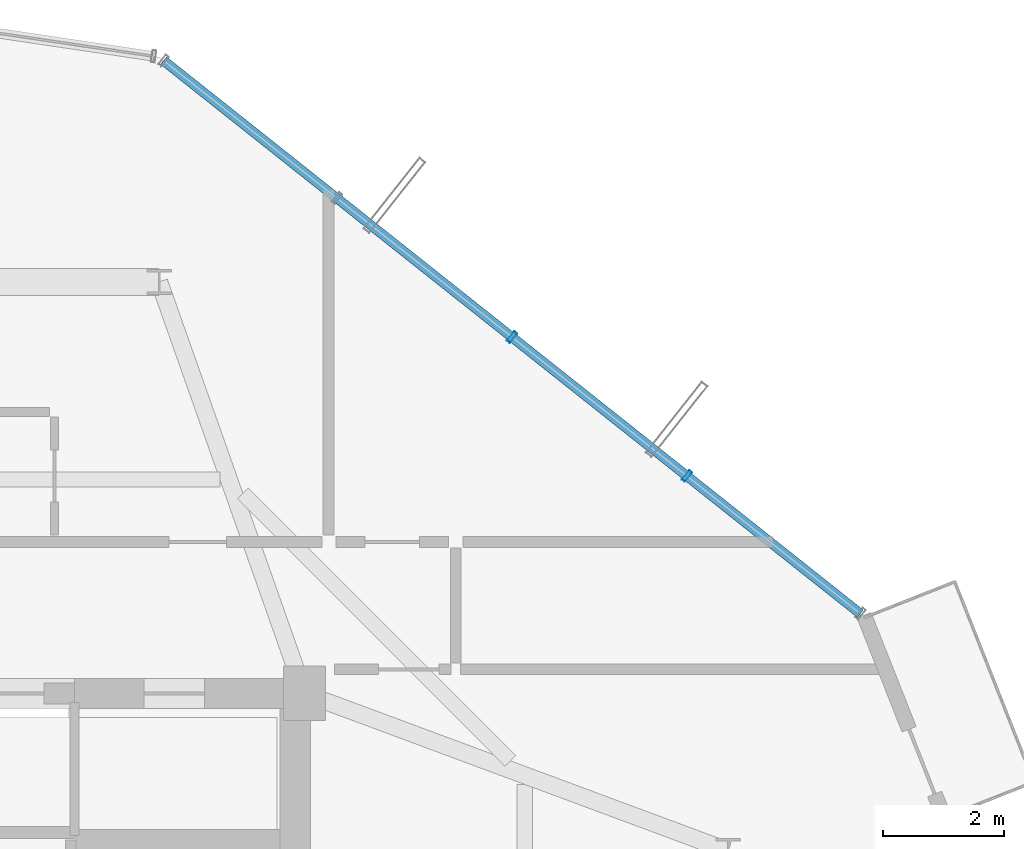
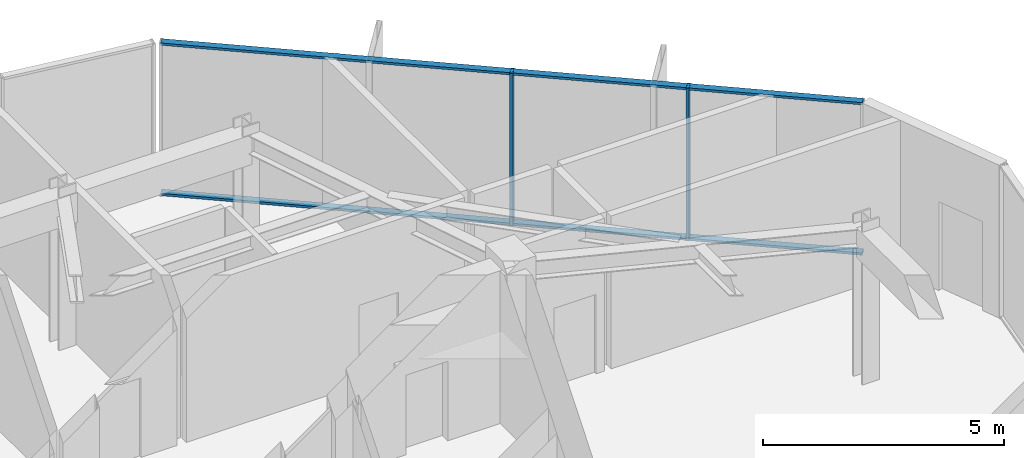
# One storey, part 12 of 22: 4 members, 1 element without a shape of its own.
"""IFC4 building model written with IfcOpenShell, lengths in metres."""

import ifcopenshell
import ifcopenshell.guid

model = None  # the IFC model being written
_history = None  # IfcOwnerHistory: only IFC2X3 demands one
_inside = {}  # id of a spatial element -> (the spatial element, [elements in it])
_under = {}  # id of a project, library or spatial element -> (it, [spatial elements below it])
_declared = {}  # id of a project -> (the project, [libraries it declares])
_typed = {}  # id of a type object -> (the type object, [elements of that type])
_made_of = {}  # id of a material, layer set ... -> (it, [elements and type objects made of it])


def new_model(schema):
    """Start an empty IFC model of exactly this schema.

    Asked for "IFC4X3", IfcOpenShell would pick the latest addendum, in which some entities
    have other attributes; the version numbers below select the first issue.
    IFC2X3 requires an IfcOwnerHistory on every rooted entity: one is made here for all.
    """
    global model, _history
    if schema == "IFC4X3":
        model = ifcopenshell.file(schema_version=(4, 3, 0, 0))
    else:
        model = ifcopenshell.file(schema=schema)
    _inside.clear()
    _under.clear()
    _declared.clear()
    _typed.clear()
    _made_of.clear()
    _history = None
    if model.schema == "IFC2X3":
        org = make("IfcOrganization", Name="unknown")
        user = make(
            "IfcPersonAndOrganization",
            ThePerson=make("IfcPerson", FamilyName="unknown"),
            TheOrganization=org,
        )
        app = make(
            "IfcApplication",
            ApplicationDeveloper=org,
            Version="unknown",
            ApplicationFullName="unknown",
            ApplicationIdentifier="unknown",
        )
        _history = make(
            "IfcOwnerHistory",
            OwningUser=user,
            OwningApplication=app,
            ChangeAction="ADDED",
            CreationDate=0,
        )
    return model


def make(cls, **values):
    """One entity of the class cls with the attributes given. An attribute that is None is left unset."""
    return model.create_entity(
        cls, **{name: value for name, value in values.items() if value is not None}
    )


def rooted(cls, **values):
    """An entity with a GlobalId (a new one), such as an element, a storey or a relation."""
    return make(cls, GlobalId=ifcopenshell.guid.new(), OwnerHistory=_history, **values)


def si_unit(unit_type, name, prefix=None):
    """IfcSIUnit, for example si_unit("LENGTHUNIT", "METRE", prefix="MILLI")."""
    return make("IfcSIUnit", UnitType=unit_type, Prefix=prefix, Name=name)


def assignment(units):
    """IfcUnitAssignment: the units of a project."""
    return None if units is None else make("IfcUnitAssignment", Units=units)


def point(xyz):
    """IfcCartesianPoint."""
    return None if xyz is None else make("IfcCartesianPoint", Coordinates=xyz)


def direction(xyz):
    """IfcDirection."""
    return None if xyz is None else make("IfcDirection", DirectionRatios=xyz)


def frame(location, z_axis=None, x_axis=None):
    """IfcAxis2Placement3D, a coordinate frame: its origin and axes. An axis left out is left unset."""
    return make(
        "IfcAxis2Placement3D",
        Location=point(location),
        Axis=direction(z_axis),
        RefDirection=direction(x_axis),
    )


def frame_2d(location, x_axis=None):
    """IfcAxis2Placement2D, a coordinate frame in the plane: its origin and x axis."""
    return make(
        "IfcAxis2Placement2D", Location=point(location), RefDirection=direction(x_axis)
    )


def origin():
    """The frame at (0, 0, 0) with its axes left unset."""
    return frame((0.0, 0.0, 0.0))


def origin_2d():
    """The frame at (0, 0) in the plane with its x axis left unset."""
    return frame_2d((0.0, 0.0))


def place(relative_to, where):
    """IfcLocalPlacement: puts the frame where relative to a parent placement (None: the world)."""
    return make(
        "IfcLocalPlacement", PlacementRelTo=relative_to, RelativePlacement=where
    )


def context(
    kind, dimensions, precision=None, world=None, true_north=None, identifier=None
):
    """IfcGeometricRepresentationContext, for example the 3D "Model" context."""
    return make(
        "IfcGeometricRepresentationContext",
        ContextIdentifier=identifier,
        ContextType=kind,
        CoordinateSpaceDimension=dimensions,
        Precision=precision,
        WorldCoordinateSystem=world,
        TrueNorth=true_north,
    )


def subcontext(parent, identifier, kind, view, scale=None):
    """IfcGeometricRepresentationSubContext, for example "Body" below "Model"."""
    return make(
        "IfcGeometricRepresentationSubContext",
        ContextIdentifier=identifier,
        ContextType=kind,
        ParentContext=parent,
        TargetScale=scale,
        TargetView=view,
    )


def project(units=None, contexts=None):
    """IfcProject with its units and contexts."""
    return rooted(
        "IfcProject",
        Name="project",
        RepresentationContexts=contexts,
        UnitsInContext=assignment(units),
    )


def spatial(cls, under=None, at=None, **own):
    """A site, building, storey or space (cls), placed at a placement, below another one or the project."""
    s = rooted(cls, ObjectPlacement=at, **own)
    if under is not None:
        _under.setdefault(under.id(), (under, []))[1].append(s)
    return s


def profile(cls, at=None, kind="AREA", **sizes):
    """A parametric profile (cls). Its sizes go by their IFC names, for example OverallWidth=200.0."""
    return make(cls, ProfileType=kind, Position=at, **sizes)


def hollow_rectangle(**sizes):
    """IfcRectangleHollowProfileDef."""
    return profile("IfcRectangleHollowProfileDef", **sizes)


def extrude(swept, where, along, depth):
    """IfcExtrudedAreaSolid: the profile swept, set in the frame where, extruded along a direction by depth."""
    return make(
        "IfcExtrudedAreaSolid",
        SweptArea=swept,
        Position=where,
        ExtrudedDirection=direction(along),
        Depth=depth,
    )


def shape(context_of_items, identifier, shape_type, items):
    """IfcShapeRepresentation: the items that make up one representation, for example the "Body"."""
    return make(
        "IfcShapeRepresentation",
        ContextOfItems=context_of_items,
        RepresentationIdentifier=identifier,
        RepresentationType=shape_type,
        Items=items,
    )


def source(mapping_origin, context_of_items, identifier, shape_type, items):
    """IfcRepresentationMap: a shape defined once, which mapped items show again and again."""
    return make(
        "IfcRepresentationMap",
        MappingOrigin=mapping_origin,
        MappedRepresentation=shape(context_of_items, identifier, shape_type, items),
    )


def transform(
    local_origin,
    x_axis=None,
    y_axis=None,
    z_axis=None,
    scale=None,
    scale2=None,
    scale3=None,
    uniform=True,
):
    """IfcCartesianTransformationOperator3D, or its non-uniform kind. x_axis, y_axis, z_axis: its Axis1, 2, 3."""
    if uniform:
        return make(
            "IfcCartesianTransformationOperator3D",
            Axis1=direction(x_axis),
            Axis2=direction(y_axis),
            LocalOrigin=point(local_origin),
            Scale=scale,
            Axis3=direction(z_axis),
        )
    return make(
        "IfcCartesianTransformationOperator3DnonUniform",
        Axis1=direction(x_axis),
        Axis2=direction(y_axis),
        LocalOrigin=point(local_origin),
        Scale=scale,
        Axis3=direction(z_axis),
        Scale2=scale2,
        Scale3=scale3,
    )


def mapped(mapping_source, mapping_target):
    """IfcMappedItem: shows the shape of a source again, moved by a transform."""
    return make(
        "IfcMappedItem", MappingSource=mapping_source, MappingTarget=mapping_target
    )


def material(Name=None, Category=None):
    """IfcMaterial."""
    return make("IfcMaterial", Name=Name, Category=Category)


def layer(
    of_material, thickness, ventilated=None, Name=None, Category=None, Priority=None
):
    """IfcMaterialLayer: one layer of a wall or slab, of a material (None: an air gap)."""
    return make(
        "IfcMaterialLayer",
        Material=of_material,
        LayerThickness=thickness,
        IsVentilated=ventilated,
        Name=Name,
        Category=Category,
        Priority=Priority,
    )


def layer_set(layers, Name=None):
    """IfcMaterialLayerSet."""
    return make("IfcMaterialLayerSet", MaterialLayers=layers, LayerSetName=Name)


def material_profile(
    of_material, cross_section, Name=None, Category=None, Priority=None
):
    """IfcMaterialProfile: a cross section and its material."""
    return make(
        "IfcMaterialProfile",
        Name=Name,
        Material=of_material,
        Profile=cross_section,
        Priority=Priority,
        Category=Category,
    )


def profile_set(profiles, Name=None, composite=None):
    """IfcMaterialProfileSet."""
    return make(
        "IfcMaterialProfileSet",
        Name=Name,
        MaterialProfiles=profiles,
        CompositeProfile=composite,
    )


def made_of(thing, what):
    """Note that an element or type object is made of a material, layer set ...; save() writes the relation."""
    if what is not None:
        _made_of.setdefault(what.id(), (what, []))[1].append(thing)
    return thing


def type_object(cls, material=None, **own):
    """A type object (cls), such as IfcWallType, which elements share."""
    return made_of(rooted(cls, **own), material)


def element(
    cls,
    number,
    at=None,
    inside=None,
    cuts=None,
    type_object=None,
    material=None,
    context=None,
    identifier="Body",
    shape_type=None,
    held_by="IfcProductDefinitionShape",
    body=None,
    shapes=None,
    **own,
):
    """One element of the class cls, such as IfcWall. Its Tag is "e" and its number.

    at: its placement. inside: the storey or other place that contains it. cuts: it is an
    opening in that element (IfcRelVoidsElement). A single representation is given by context,
    identifier, shape_type and body (its items); several are given by shapes. held_by: the class
    of the entity that holds the representations. save() writes the other relations.
    """
    e = rooted(cls, Tag="e%d" % number, ObjectPlacement=at, **own)
    if body is not None:
        shapes = [shape(context, identifier, shape_type, body)]
    if shapes is not None:
        e.Representation = make(held_by, Representations=shapes)
    if inside is not None:
        _inside.setdefault(inside.id(), (inside, []))[1].append(e)
    if cuts is not None:
        rooted(
            "IfcRelVoidsElement", RelatingBuildingElement=cuts, RelatedOpeningElement=e
        )
    if type_object is not None:
        _typed.setdefault(type_object.id(), (type_object, []))[1].append(e)
    return made_of(e, material)


def aggregate(whole, parts):
    """IfcRelAggregates: a whole, such as a stair, and the parts it consists of."""
    return rooted("IfcRelAggregates", RelatingObject=whole, RelatedObjects=parts)


def save(model, path):
    """Write the relations noted so far, then the file.

    IfcRelAggregates (storeys below a building ...), IfcRelContainedInSpatialStructure (elements
    in a storey), IfcRelDefinesByType, IfcRelAssociatesMaterial and IfcRelDeclares: one each for
    every whole, place, type object, material and project.
    """
    for whole, parts in _under.values():
        aggregate(whole, parts)
    for where, things in _inside.values():
        rooted(
            "IfcRelContainedInSpatialStructure",
            RelatedElements=things,
            RelatingStructure=where,
        )
    for kind, things in _typed.values():
        rooted("IfcRelDefinesByType", RelatedObjects=things, RelatingType=kind)
    for what, things in _made_of.values():
        rooted("IfcRelAssociatesMaterial", RelatedObjects=things, RelatingMaterial=what)
    for by, libraries in _declared.values():
        rooted("IfcRelDeclares", RelatingContext=by, RelatedDefinitions=libraries)
    model.write(path)


model = new_model("IFC4")

# Units and contexts
model_context = context("Model", 3, precision=1e-05, world=origin(), true_north=direction((0.0, 1.0)))
body_context = subcontext(model_context, "Body", "Model", "MODEL_VIEW")
ifc_project = project(units=[si_unit("LENGTHUNIT", "METRE"), si_unit("AREAUNIT", "SQUARE_METRE"), si_unit("VOLUMEUNIT", "CUBIC_METRE"), si_unit("PLANEANGLEUNIT", "RADIAN"), si_unit("MASSUNIT", "GRAM", prefix="KILO")], contexts=[model_context])

# Site, building, storey
site_placement = place(None, origin())
site = spatial("IfcSite", under=ifc_project, at=site_placement, CompositionType="ELEMENT")
building_placement = place(site_placement, origin())
building = spatial("IfcBuilding", under=site, at=building_placement, Name="Veraguas Prism Commons", CompositionType="ELEMENT")
storey_placement = place(building_placement, frame((0.0, 0.0, 236.550048828125)))
storey = spatial("IfcBuildingStorey", under=building, at=storey_placement, Name="L67", CompositionType="ELEMENT", Elevation=236.550048828125)

# Curtain wall, members
ifc_material = material(Name="Anodised aluminium EN AW-6063 T6", Category="aluminium")
ifc_layer = layer(ifc_material, 0.199951171875, Name="Sky Lobby and Pool Acoustic Curtain Wall", Category="aluminium")
ifc_layer_set = layer_set([ifc_layer], Name="Anodised aluminium EN AW-6063 T6")
curtain_wall_type = type_object("IfcCurtainWallType", Name="Sky Lobby and Pool Acoustic Curtain Wall", PredefinedType="NOTDEFINED", material=ifc_layer_set)
curtain_wall_placement = place(storey_placement, origin())
curtain_wall = element("IfcCurtainWall", 1, at=curtain_wall_placement, inside=storey, type_object=curtain_wall_type, Name="Tower Facade Curtain Wall L67-F1", PredefinedType="NOTDEFINED")
ifc_material_profile_1 = material_profile(ifc_material, hollow_rectangle(XDim=0.06494140625, YDim=0.199951171875, WallThickness=0.00390625, at=origin_2d()), Name="AL65X200X4")
ifc_profile_set_1 = profile_set([ifc_material_profile_1], Name="Anodised aluminium EN AW-6063 T6")
member_type_1 = type_object("IfcMemberType", Name="Curtain Wall Mullion Heavy AL 65x200x4", PredefinedType="MULLION", material=ifc_profile_set_1)
shared_shape_1 = source(origin(), body_context, "Body", "SweptSolid", [
    extrude(hollow_rectangle(XDim=0.06494140625, YDim=0.199951171875, WallThickness=0.00390625, at=origin_2d()), origin(), (0.0, 0.0, 1.0), 3.864990234375),
])
member_1_placement = place(storey_placement, frame((37.12109375, 34.593017578125, 0.0), z_axis=(0.0, 0.0, 1.0), x_axis=(-0.78325853836, 0.621696117155, 0.0)))
member_1 = element("IfcMember", 2, at=member_1_placement, type_object=member_type_1, Name="CW-SKY Mullion 2", PredefinedType="MULLION", context=body_context, shape_type="MappedRepresentation", body=[
    mapped(shared_shape_1, transform((0.0, 0.0, 0.0), scale=1.0)),
])
member_2_placement = place(storey_placement, frame((34.229736328125, 36.88818359375, 0.0), z_axis=(0.0, 0.0, 1.0), x_axis=(-0.78325853836, 0.621696117155, 0.0)))
member_2 = element("IfcMember", 3, at=member_2_placement, type_object=member_type_1, Name="CW-SKY Mullion 3", PredefinedType="MULLION", context=body_context, shape_type="MappedRepresentation", body=[
    mapped(shared_shape_1, transform((0.0, 0.0, 0.0), scale=1.0)),
])
ifc_material_profile_2 = material_profile(ifc_material, hollow_rectangle(XDim=0.06005859375, YDim=0.159912109375, WallThickness=0.0029296875, at=origin_2d()), Name="AL60X160X3")
ifc_profile_set_2 = profile_set([ifc_material_profile_2], Name="Anodised aluminium EN AW-6063 T6")
member_type_2 = type_object("IfcMemberType", Name="Curtain Wall Transom Heavy AL 60x160x3", PredefinedType="USERDEFINED", material=ifc_profile_set_2)
shared_shape_2 = source(origin(), body_context, "Body", "SweptSolid", [
    extrude(hollow_rectangle(XDim=0.06005859375, YDim=0.159912109375, WallThickness=0.0029296875, at=origin_2d()), origin(), (0.0, 0.0, 1.0), 14.701416015625),
])
member_3_placement = place(storey_placement, frame((39.987060546875, 32.318115234375, 0.030029296875), z_axis=(-0.783252833795, 0.621703304119, 0.0), x_axis=(0.0, 0.0, 1.0)))
member_3 = element("IfcMember", 4, at=member_3_placement, type_object=member_type_2, Name="CW-SKY Transom 1", ObjectType="TRANSOM", PredefinedType="USERDEFINED", context=body_context, shape_type="MappedRepresentation", body=[
    mapped(shared_shape_2, transform((0.0, 0.0, 0.0), scale=1.0)),
])
member_4_placement = place(storey_placement, frame((39.987060546875, 32.318115234375, 3.8349609375), z_axis=(-0.783252833795, 0.621703304119, 0.0), x_axis=(0.0, 0.0, 1.0)))
member_4 = element("IfcMember", 5, at=member_4_placement, type_object=member_type_2, Name="CW-SKY Transom 2", ObjectType="TRANSOM", PredefinedType="USERDEFINED", context=body_context, shape_type="MappedRepresentation", body=[
    mapped(shared_shape_2, transform((0.0, 0.0, 0.0), scale=1.0)),
])
aggregate(curtain_wall, [member_1, member_2, member_3, member_4])

save(model, "model.ifc")
